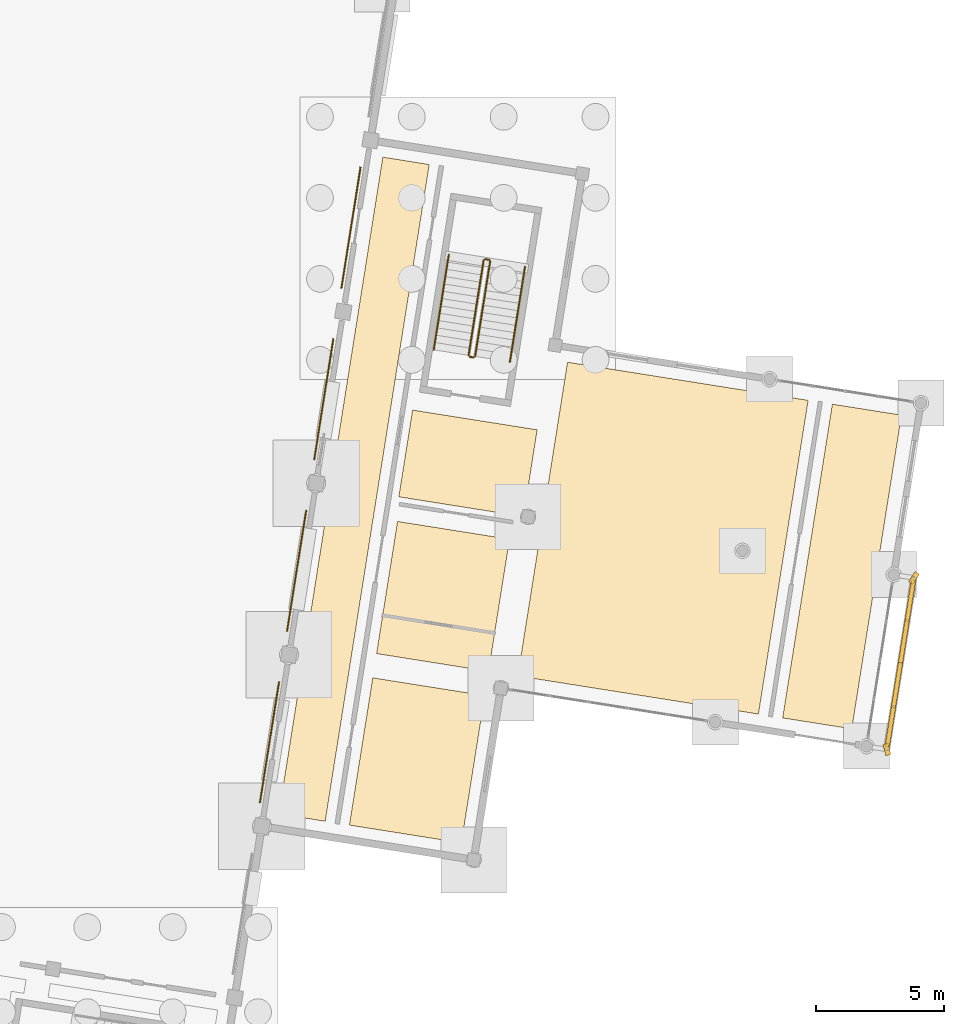
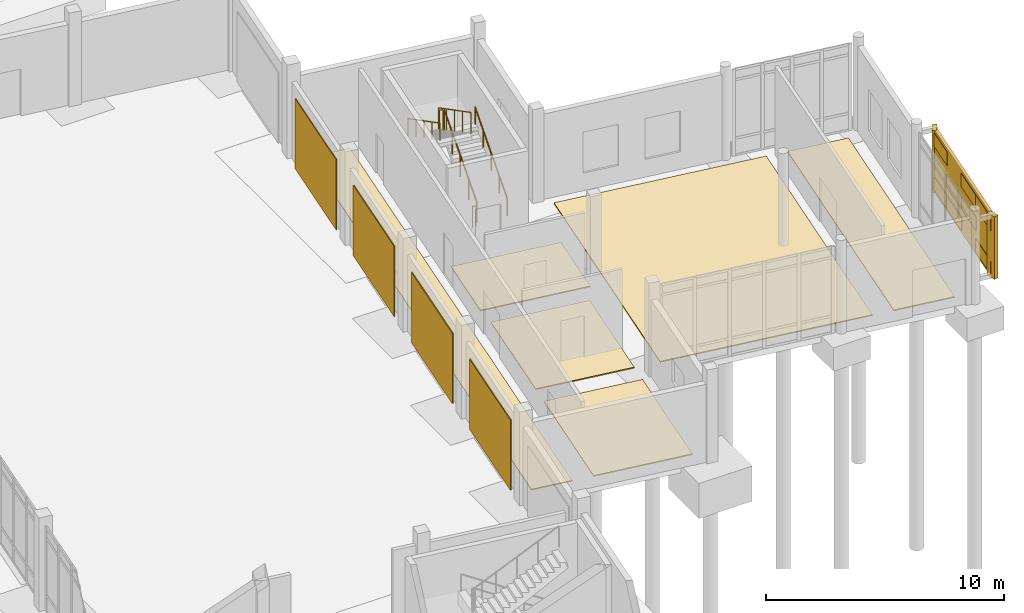
# One storey, part 70 of 72: 20 coverings, 6 railings, 1 shading device.
"""IFC4 building model written with IfcOpenShell, lengths in metres."""

from ifc_helpers import new_model, si_unit, direction, frame, origin, origin_2d, place, context, subcontext, project, spatial, polyline, rectangle, circle, outline, extrude, material, layer, layer_set, type_object, element, save


model = new_model("IFC4")

# Units and contexts
model_context = context("Model", 3, precision=1e-05, world=origin(), true_north=direction((0.0, 1.0)))
body_context = subcontext(model_context, "Body", "Model", "MODEL_VIEW")
ifc_project = project(units=[si_unit("LENGTHUNIT", "METRE"), si_unit("AREAUNIT", "SQUARE_METRE"), si_unit("VOLUMEUNIT", "CUBIC_METRE"), si_unit("PLANEANGLEUNIT", "RADIAN"), si_unit("MASSUNIT", "GRAM", prefix="KILO")], contexts=[model_context])

# Site, building, storey
site_placement = place(None, origin())
site = spatial("IfcSite", under=ifc_project, at=site_placement, CompositionType="ELEMENT")
building_placement = place(site_placement, origin())
building = spatial("IfcBuilding", under=site, at=building_placement, Name="Cinderway Yard Community Centre", CompositionType="ELEMENT")
storey_placement = place(building_placement, origin())
storey = spatial("IfcBuildingStorey", under=building, at=storey_placement, Name="L00", CompositionType="ELEMENT", Elevation=0.0)

# Coverings
ifc_material_1 = material(Name="Brick Masonry", Category="masonry")
ifc_layer_1 = layer(ifc_material_1, 0.18994140625, Name="Brick Masonry")
ifc_layer_set_1 = layer_set([ifc_layer_1], Name="Brick Masonry")
covering_type_1 = type_object("IfcCoveringType", Name="ENV-COV-BRK-SCREEN", PredefinedType="CLADDING", material=ifc_layer_set_1)
for number, where, z_axis, x_axis, name in (
    (1, (164.8701171875, 44.345947265625, 1.10009765625), (0.0, 0.0, 1.0), (0.258819045103, -0.965925826289, 0.0), "Deconstructivist folded brick fin 1467"),
    (2, (165.93310546875, 51.06298828125, 1.10009765625), (0.0, 0.0, 1.0), (-0.544639035015, -0.838670567945, 0.0), "Deconstructivist folded brick fin 1468"),
):
    element("IfcCovering", number, at=place(storey_placement, frame(where, z_axis=z_axis, x_axis=x_axis)), inside=storey, type_object=covering_type_1, Name=name, PredefinedType="CLADDING", context=body_context, shape_type="SweptSolid", body=[
        extrude(rectangle(XDim=0.4599609375, YDim=0.199951171875, at=origin_2d()), origin(), (0.0, 0.0, 1.0), 3.199951171875),
    ])
for number, where, z_axis, x_axis, name in (
    (3, (165.0029296875, 45.18603515625, 1.24072265625), (0.0, 0.0, 1.0), (-0.15643446504, -0.987688340595, 0.0), "Open-bond perforated brick screen course 01469"),
    (4, (165.533935546875, 48.5439453125, 1.24072265625), (0.0, 0.0, 1.0), (-0.15643446504, -0.987688340595, 0.0), "Open-bond perforated brick screen course 01470"),
    (5, (165.800048828125, 50.222900390625, 1.24072265625), (0.0, 0.0, 1.0), (-0.15643446504, -0.987688340595, 0.0), "Open-bond perforated brick screen course 01471"),
    (6, (165.26904296875, 46.864990234375, 2.359375), (0.0, 0.0, 1.0), (-0.15643446504, -0.987688340595, 0.0), "Open-bond perforated brick screen course 01472"),
    (7, (165.533935546875, 48.5439453125, 2.359375), (0.0, 0.0, 1.0), (-0.15643446504, -0.987688340595, 0.0), "Open-bond perforated brick screen course 01473"),
    (8, (165.0029296875, 45.18603515625, 3.4794921875), (0.0, 0.0, 1.0), (-0.15643446504, -0.987688340595, 0.0), "Open-bond perforated brick screen course 01474"),
    (9, (165.26904296875, 46.864990234375, 3.4794921875), (0.0, 0.0, 1.0), (-0.15643446504, -0.987688340595, 0.0), "Open-bond perforated brick screen course 01475"),
    (10, (165.800048828125, 50.222900390625, 3.4794921875), (0.0, 0.0, 1.0), (-0.15643446504, -0.987688340595, 0.0), "Open-bond perforated brick screen course 01476"),
):
    element("IfcCovering", number, at=place(storey_placement, frame(where, z_axis=z_axis, x_axis=x_axis)), inside=storey, type_object=covering_type_1, Name=name, PredefinedType="CLADDING", context=body_context, shape_type="SweptSolid", body=[
        extrude(rectangle(XDim=1.780029296875, YDim=0.18994140625, at=origin_2d()), origin(), (0.0, 0.0, 1.0), 0.680908203125),
    ])

# Shading device
ifc_material_2 = material(Name="Aluminium 6063-T6", Category="aluminium")
shading_device_type = type_object("IfcShadingDeviceType", Name="ENV-SHD-JALOUSIE", PredefinedType="JALOUSIE", material=ifc_material_2)
shading_device_placement = place(storey_placement, frame((165.40087890625, 47.7041015625, 1.10009765625), z_axis=(0.0, 0.0, 1.0), x_axis=(-0.15643446504, -0.987688340595, 0.0)))
element("IfcShadingDevice", 11, at=shading_device_placement, inside=storey, type_object=shading_device_type, Name="East Athletics Porch Hurricane Louvre 1119", PredefinedType="JALOUSIE", context=body_context, shape_type="SweptSolid", body=[
    extrude(rectangle(XDim=6.60107421875, YDim=0.139892578125, at=origin_2d()), origin(), (0.0, 0.0, 1.0), 3.199951171875),
])

# Coverings
ifc_material_3 = material(Name="Acoustic Slotted Brick Liner", Category="masonry")
ifc_layer_2 = layer(ifc_material_3, 0.044921875, Name="Acoustic Slotted Brick Liner")
ifc_layer_set_2 = layer_set([ifc_layer_2], Name="Acoustic Slotted Brick Liner")
covering_type_2 = type_object("IfcCoveringType", Name="INT-COV-CLAD-BRK", PredefinedType="CLADDING", material=ifc_layer_set_2)
for number, where, z_axis, x_axis, name in (
    (12, (140.697021484375, 44.631103515625, 0.0), (0.0, 0.0, 1.0), (0.987688340595, -0.15643446504, 0.0), "Sports Hall Acoustic Liner 02"),
    (13, (141.760009765625, 51.346923828125, 0.0), (0.0, 0.0, 1.0), (0.987688340595, -0.15643446504, 0.0), "Sports Hall Acoustic Liner 03"),
    (14, (142.823974609375, 58.06396484375, 0.0), (0.0, 0.0, 1.0), (0.987688340595, -0.15643446504, 0.0), "Sports Hall Acoustic Liner 04"),
    (15, (143.887939453125, 64.780029296875, 0.0), (0.0, 0.0, 1.0), (0.987688340595, -0.15643446504, 0.0), "Sports Hall Acoustic Liner 05"),
):
    element("IfcCovering", number, at=place(storey_placement, frame(where, z_axis=z_axis, x_axis=x_axis)), inside=storey, type_object=covering_type_2, Name=name, PredefinedType="CLADDING", context=body_context, shape_type="SweptSolid", body=[
        extrude(rectangle(XDim=0.044921875, YDim=4.800048828125, at=origin_2d()), origin(), (0.0, 0.0, 1.0), 3.60009765625),
    ])
ifc_material_4 = material(Name="Sprung Hardwood Court Floor", Category="wood")
ifc_layer_3 = layer(ifc_material_4, 0.054931640625, Name="Sprung Hardwood Court Floor")
ifc_layer_set_3 = layer_set([ifc_layer_3], Name="Sprung Hardwood Court Floor")
covering_type_3 = type_object("IfcCoveringType", Name="INT-COV-FLR-SPR", PredefinedType="FLOORING", material=ifc_layer_set_3)
covering_1_placement = place(storey_placement, origin())
element("IfcCovering", 16, at=covering_1_placement, inside=storey, type_object=covering_type_3, Name="Athletics Changing Corridor Floor Finish", PredefinedType="FLOORING", context=body_context, shape_type="SweptSolid", body=[
    extrude(outline(polyline([(145.135009765625, 67.5390625), (146.951904296875, 67.2509765625), (142.87890625, 41.531982421875), (141.06201171875, 41.820068359375), (145.135009765625, 67.5390625)])), origin(), (0.0, 0.0, 1.0), 0.054931640625),
])
covering_2_placement = place(storey_placement, origin())
element("IfcCovering", 17, at=covering_2_placement, inside=storey, type_object=covering_type_3, Name="Home Team Changing & Showers Floor Finish", PredefinedType="FLOORING", context=body_context, shape_type="SweptSolid", body=[
    extrude(outline(polyline([(144.740966796875, 47.14892578125), (149.1259765625, 46.455078125), (148.2119140625, 40.68701171875), (143.826904296875, 41.382080078125), (144.740966796875, 47.14892578125)])), origin(), (0.0, 0.0, 1.0), 0.054931640625),
])
covering_3_placement = place(storey_placement, origin())
element("IfcCovering", 18, at=covering_3_placement, inside=storey, type_object=covering_type_3, Name="Guest Changing & Showers Floor Finish", PredefinedType="FLOORING", context=body_context, shape_type="SweptSolid", body=[
    extrude(outline(polyline([(145.7109375, 53.27294921875), (150.095947265625, 52.577880859375), (149.27587890625, 47.403076171875), (144.89111328125, 48.097900390625), (145.7109375, 53.27294921875)])), origin(), (0.0, 0.0, 1.0), 0.054931640625),
])
covering_4_placement = place(storey_placement, origin())
element("IfcCovering", 19, at=covering_4_placement, inside=storey, type_object=covering_type_3, Name="East Athletics Link Corridor Floor Finish", PredefinedType="FLOORING", context=body_context, shape_type="SweptSolid", body=[
    extrude(outline(polyline([(146.300048828125, 57.634033203125), (151.178955078125, 56.862060546875), (150.64111328125, 53.464111328125), (145.761962890625, 54.237060546875), (146.300048828125, 57.634033203125)])), origin(), (0.0, 0.0, 1.0), 0.054931640625),
])
covering_5_placement = place(storey_placement, origin())
element("IfcCovering", 20, at=covering_5_placement, inside=storey, type_object=covering_type_3, Name="East Athletics Entrance Hall Floor Finish", PredefinedType="FLOORING", context=body_context, shape_type="SweptSolid", body=[
    extrude(outline(polyline([(152.367919921875, 59.508056640625), (161.7900390625, 58.01611328125), (159.843994140625, 45.72998046875), (150.422119140625, 47.221923828125), (152.367919921875, 59.508056640625)])), origin(), (0.0, 0.0, 1.0), 0.054931640625),
])
covering_6_placement = place(storey_placement, origin())
element("IfcCovering", 21, at=covering_6_placement, inside=storey, type_object=covering_type_3, Name="Community Cycle Hub Floor Finish", PredefinedType="FLOORING", context=body_context, shape_type="SweptSolid", body=[
    extrude(outline(polyline([(162.739013671875, 57.865966796875), (165.445068359375, 57.43701171875), (163.4990234375, 45.15087890625), (160.79296875, 45.5791015625), (162.739013671875, 57.865966796875)])), origin(), (0.0, 0.0, 1.0), 0.054931640625),
])

# Railings
ifc_material_5 = material(Name="Painted Galvanised Steel", Category="steel")
railing_type_1 = type_object("IfcRailingType", Name="INT-RAL-GRD112", PredefinedType="GUARDRAIL", material=ifc_material_5)
railing_1_placement = place(storey_placement, frame((148.7490234375, 59.737548828125, 0.17138671875)))
element("IfcRailing", 22, at=railing_1_placement, inside=storey, type_object=railing_type_1, Name="L00 ST-08 stair guard 1", PredefinedType="GUARDRAIL", context=body_context, shape_type="SweptSolid", body=[
    extrude(circle(Radius=0.02392578125, at=origin_2d()), frame((0.0, 0.0, 1.076171875), z_axis=(0.13468423667, 0.850249990766, 0.508856669008), x_axis=(-0.987685133424, 0.156454712979, 0.0)), (0.0, 0.0, 1.0), 4.37939453125),
    extrude(circle(Radius=0.02099609375, at=origin_2d()), origin(), (0.0, 0.0, 1.0), 1.052001953125),
    extrude(circle(Radius=0.02099609375, at=origin_2d()), frame((0.1474609375, 0.930908203125, 0.55712890625)), (0.0, 0.0, 1.0), 1.052001953125),
    extrude(circle(Radius=0.02099609375, at=origin_2d()), frame((0.294921875, 1.86181640625, 1.1142578125)), (0.0, 0.0, 1.0), 1.052001953125),
    extrude(circle(Radius=0.02099609375, at=origin_2d()), frame((0.4423828125, 2.792724609375, 1.67138671875)), (0.0, 0.0, 1.0), 1.052001953125),
    extrude(circle(Radius=0.02099609375, at=origin_2d()), frame((0.58984375, 3.7236328125, 2.228515625)), (0.0, 0.0, 1.0), 1.052001953125),
])
railing_2_placement = place(storey_placement, frame((149.29736328125, 63.518310546875, 2.39990234375)))
element("IfcRailing", 23, at=railing_2_placement, inside=storey, type_object=railing_type_1, Name="L00 ST-08 stair guard 2", PredefinedType="GUARDRAIL", context=body_context, shape_type="SweptSolid", body=[
    extrude(circle(Radius=0.02392578125, at=origin_2d()), frame((0.0, 0.0, 1.076171875), z_axis=(-0.987800074219, 0.155727368733, 0.0), x_axis=(-0.155727368733, -0.987800074219, 0.0)), (0.0, 0.0, 1.0), 0.159912109375),
    extrude(circle(Radius=0.02099609375, at=origin_2d()), origin(), (0.0, 0.0, 1.0), 1.052001953125),
    extrude(circle(Radius=0.02099609375, at=origin_2d()), frame((-0.157958984375, 0.02490234375, 0.0)), (0.0, 0.0, 1.0), 1.052001953125),
])
railing_3_placement = place(storey_placement, frame((149.08203125, 63.501708984375, 2.571533203125)))
element("IfcRailing", 24, at=railing_3_placement, inside=storey, type_object=railing_type_1, Name="L00 ST-08 stair guard 3", PredefinedType="GUARDRAIL", context=body_context, shape_type="SweptSolid", body=[
    extrude(circle(Radius=0.02392578125, at=origin_2d()), frame((0.0, 0.0, 1.076171875), z_axis=(-0.134629500505, -0.850256373376, 0.508860488865), x_axis=(0.98769513839, -0.156391539418, 0.0)), (0.0, 0.0, 1.0), 4.37939453125),
    extrude(circle(Radius=0.02099609375, at=origin_2d()), origin(), (0.0, 0.0, 1.0), 1.052001953125),
    extrude(circle(Radius=0.02099609375, at=origin_2d()), frame((-0.1474609375, -0.930908203125, 0.55712890625)), (0.0, 0.0, 1.0), 1.052001953125),
    extrude(circle(Radius=0.02099609375, at=origin_2d()), frame((-0.294921875, -1.86181640625, 1.1142578125)), (0.0, 0.0, 1.0), 1.052001953125),
    extrude(circle(Radius=0.02099609375, at=origin_2d()), frame((-0.442138671875, -2.792724609375, 1.67138671875)), (0.0, 0.0, 1.0), 1.052001953125),
    extrude(circle(Radius=0.02099609375, at=origin_2d()), frame((-0.589599609375, -3.7236328125, 2.228515625)), (0.0, 0.0, 1.0), 1.052001953125),
])
railing_4_placement = place(storey_placement, frame((148.69189453125, 59.69580078125, 0.0)))
element("IfcRailing", 25, at=railing_4_placement, inside=storey, type_object=railing_type_1, Name="L00 ST-08 stair guard 4", PredefinedType="GUARDRAIL", context=body_context, shape_type="SweptSolid", body=[
    extrude(circle(Radius=0.02392578125, at=origin_2d()), frame((0.0, 0.0, 1.076171875), z_axis=(-0.987564153079, 0.157216549872, 0.0), x_axis=(-0.157216549872, -0.987564153079, 0.0)), (0.0, 0.0, 1.0), 0.159912109375),
    extrude(circle(Radius=0.02099609375, at=origin_2d()), origin(), (0.0, 0.0, 1.0), 1.052001953125),
    extrude(circle(Radius=0.02099609375, at=origin_2d()), frame((-0.157958984375, 0.025146484375, 0.0)), (0.0, 0.0, 1.0), 1.052001953125),
])
railing_type_2 = type_object("IfcRailingType", Name="INT-RAL-HND090", PredefinedType="HANDRAIL", material=ifc_material_5)
railing_5_placement = place(storey_placement, frame((150.112060546875, 59.521484375, 0.17138671875)))
element("IfcRailing", 26, at=railing_5_placement, inside=storey, type_object=railing_type_2, Name="L00 ST-08 stair handrail 1", PredefinedType="HANDRAIL", context=body_context, shape_type="SweptSolid", body=[
    extrude(circle(Radius=0.02392578125, at=origin_2d()), frame((0.0, 0.0, 0.8759765625), z_axis=(0.13468423667, 0.850249990766, 0.508856669008), x_axis=(-0.987685133424, 0.156454712979, 0.0)), (0.0, 0.0, 1.0), 4.37939453125),
    extrude(circle(Radius=0.02099609375, at=origin_2d()), origin(), (0.0, 0.0, 1.0), 0.851806640625),
    extrude(circle(Radius=0.02099609375, at=origin_2d()), frame((0.1474609375, 0.930908203125, 0.55712890625)), (0.0, 0.0, 1.0), 0.851806640625),
    extrude(circle(Radius=0.02099609375, at=origin_2d()), frame((0.294921875, 1.86181640625, 1.1142578125)), (0.0, 0.0, 1.0), 0.851806640625),
    extrude(circle(Radius=0.02099609375, at=origin_2d()), frame((0.4423828125, 2.792724609375, 1.67138671875)), (0.0, 0.0, 1.0), 0.851806640625),
    extrude(circle(Radius=0.02099609375, at=origin_2d()), frame((0.58984375, 3.7236328125, 2.228515625)), (0.0, 0.0, 1.0), 0.851806640625),
])
railing_6_placement = place(storey_placement, frame((147.718994140625, 63.717529296875, 2.571533203125)))
element("IfcRailing", 27, at=railing_6_placement, inside=storey, type_object=railing_type_2, Name="L00 ST-08 stair handrail 2", PredefinedType="HANDRAIL", context=body_context, shape_type="SweptSolid", body=[
    extrude(circle(Radius=0.02392578125, at=origin_2d()), frame((0.0, 0.0, 0.8759765625), z_axis=(-0.134635882109, -0.850240926728, 0.50888460948), x_axis=(0.987693554356, -0.156401543097, 0.0)), (0.0, 0.0, 1.0), 4.379150390625),
    extrude(circle(Radius=0.02099609375, at=origin_2d()), origin(), (0.0, 0.0, 1.0), 0.851806640625),
    extrude(circle(Radius=0.02099609375, at=origin_2d()), frame((-0.1474609375, -0.930908203125, 0.55712890625)), (0.0, 0.0, 1.0), 0.851806640625),
    extrude(circle(Radius=0.02099609375, at=origin_2d()), frame((-0.294921875, -1.86181640625, 1.1142578125)), (0.0, 0.0, 1.0), 0.851806640625),
    extrude(circle(Radius=0.02099609375, at=origin_2d()), frame((-0.442138671875, -2.79248046875, 1.67138671875)), (0.0, 0.0, 1.0), 0.851806640625),
    extrude(circle(Radius=0.02099609375, at=origin_2d()), frame((-0.589599609375, -3.723388671875, 2.228515625)), (0.0, 0.0, 1.0), 0.851806640625),
])

save(model, "model.ifc")
